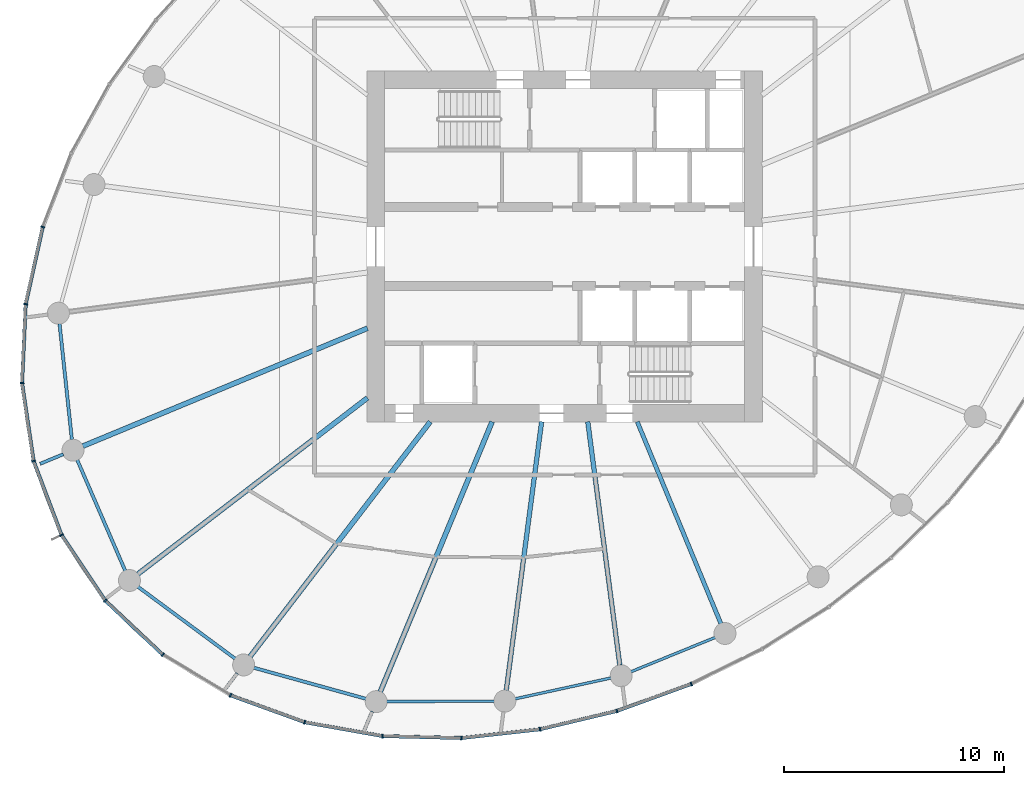
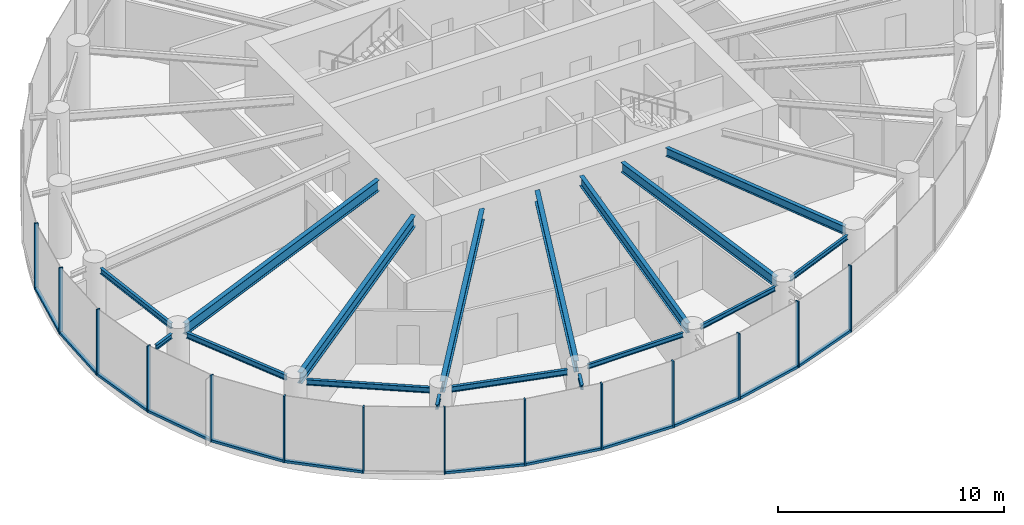
# One storey, part 2 of 14: 26 members, 17 beams, 3 elements without a shape of their own.
"""IFC4 building model written with IfcOpenShell, lengths in metres."""

from ifc_helpers import new_model, si_unit, direction, frame, origin, origin_2d, place, context, subcontext, project, spatial, rectangle, i_section, extrude, source, transform, mapped, material, layer, layer_set, material_profile, profile_set, type_object, element, aggregate, save


model = new_model("IFC4")

# Units and contexts
model_context = context("Model", 3, precision=1e-05, world=origin(), true_north=direction((0.0, 1.0)))
body_context = subcontext(model_context, "Body", "Model", "MODEL_VIEW")
ifc_project = project(units=[si_unit("LENGTHUNIT", "METRE"), si_unit("AREAUNIT", "SQUARE_METRE"), si_unit("VOLUMEUNIT", "CUBIC_METRE"), si_unit("PLANEANGLEUNIT", "RADIAN"), si_unit("MASSUNIT", "GRAM", prefix="KILO")], contexts=[model_context])

# Site, building, storey
site_placement = place(None, origin())
site = spatial("IfcSite", under=ifc_project, at=site_placement, CompositionType="ELEMENT")
building_placement = place(site_placement, origin())
building = spatial("IfcBuilding", under=site, at=building_placement, Name="Spindrift Exchange Tower", CompositionType="ELEMENT")
storey_placement = place(building_placement, frame((0.0, 0.0, 140.89990234375)))
storey = spatial("IfcBuildingStorey", under=building, at=storey_placement, Name="L33", CompositionType="ELEMENT", Elevation=140.89990234375)

# Beams
ifc_material_1 = material(Name="Steel Grade 300", Category="steel")
ifc_material_profile_1 = material_profile(ifc_material_1, i_section(OverallWidth=0.14599609375, OverallDepth=0.251953125, WebThickness=0.006103515625, FlangeThickness=0.008544921875, FilletRadius=0.011962890625, at=origin_2d()), Name="250UB31.4")
ifc_profile_set_1 = profile_set([ifc_material_profile_1], Name="Steel Grade 300")
beam_type_1 = type_object("IfcBeamType", Name="Cantilever Beam 250UB31.4 Steel Grade 300", PredefinedType="BEAM", material=ifc_profile_set_1)
shared_shape_1 = source(origin(), body_context, "Body", "SweptSolid", [
    extrude(i_section(OverallWidth=0.14599609375, OverallDepth=0.251953125, WebThickness=0.006103515625, FlangeThickness=0.008544921875, FilletRadius=0.011962890625, at=origin_2d()), origin(), (0.0, 0.0, 1.0), 1.142578125),
])
beam_1_placement = place(storey_placement, frame((29.159912109375, 38.539306640625, 3.4541015625), z_axis=(-0.923884022926, -0.382672591365, 0.0), x_axis=(0.382672591365, -0.923884022926, 0.0)))
element("IfcBeam", 1, at=beam_1_placement, inside=storey, type_object=beam_type_1, Name="L33 cantilever beam R14T", PredefinedType="BEAM", context=body_context, shape_type="MappedRepresentation", body=[
    mapped(shared_shape_1, transform((0.0, 0.0, 0.0), scale=1.0)),
])
ifc_material_profile_2 = material_profile(ifc_material_1, i_section(OverallWidth=0.14892578125, OverallDepth=0.298095703125, WebThickness=0.005615234375, FlangeThickness=0.008056640625, FilletRadius=0.012939453125, at=origin_2d()), Name="310UB32.0")
ifc_profile_set_2 = profile_set([ifc_material_profile_2], Name="Steel Grade 300")
beam_type_2 = type_object("IfcBeamType", Name="Edge Beam 310UB32.0 Steel Grade 300", PredefinedType="SPANDREL", material=ifc_profile_set_2)
shared_shape_2 = source(origin(), body_context, "Body", "SweptSolid", [
    extrude(i_section(OverallWidth=0.14892578125, OverallDepth=0.298095703125, WebThickness=0.005615234375, FlangeThickness=0.008056640625, FilletRadius=0.012939453125, at=origin_2d()), origin(), (0.0, 0.0, 1.0), 5.31640625),
])
beam_2_placement = place(storey_placement, frame((28.989013671875, 44.486572265625, 3.43115234375), z_axis=(0.10598990948, -0.994367205357, 0.0), x_axis=(0.994367205357, 0.10598990948, 0.0)))
element("IfcBeam", 2, at=beam_2_placement, inside=storey, type_object=beam_type_2, Name="L33 edge beam E13", PredefinedType="SPANDREL", context=body_context, shape_type="MappedRepresentation", body=[
    mapped(shared_shape_2, transform((0.0, 0.0, 0.0), scale=1.0)),
])
shared_shape_3 = source(origin(), body_context, "Body", "SweptSolid", [
    extrude(i_section(OverallWidth=0.14892578125, OverallDepth=0.298095703125, WebThickness=0.005615234375, FlangeThickness=0.008056640625, FilletRadius=0.012939453125, at=origin_2d()), origin(), (0.0, 0.0, 1.0), 5.508544921875),
])
beam_3_placement = place(storey_placement, frame((29.794189453125, 38.282470703125, 3.43115234375), z_axis=(0.397414644433, -0.917639144975, 0.0), x_axis=(0.917639144975, 0.397414644433, 0.0)))
element("IfcBeam", 3, at=beam_3_placement, inside=storey, type_object=beam_type_2, Name="L33 edge beam E14", PredefinedType="SPANDREL", context=body_context, shape_type="MappedRepresentation", body=[
    mapped(shared_shape_3, transform((0.0, 0.0, 0.0), scale=1.0)),
])
shared_shape_4 = source(origin(), body_context, "Body", "SweptSolid", [
    extrude(i_section(OverallWidth=0.14892578125, OverallDepth=0.298095703125, WebThickness=0.005615234375, FlangeThickness=0.008056640625, FilletRadius=0.012939453125, at=origin_2d()), origin(), (0.0, 0.0, 1.0), 5.509033203125),
])
beam_4_placement = place(storey_placement, frame((32.56005859375, 32.501708984375, 3.43115234375), z_axis=(0.803991901791, -0.594640245741, 0.0), x_axis=(0.594640245741, 0.803991901791, 0.0)))
element("IfcBeam", 4, at=beam_4_placement, inside=storey, type_object=beam_type_2, Name="L33 edge beam E15", PredefinedType="SPANDREL", context=body_context, shape_type="MappedRepresentation", body=[
    mapped(shared_shape_4, transform((0.0, 0.0, 0.0), scale=1.0)),
])
shared_shape_5 = source(origin(), body_context, "Body", "SweptSolid", [
    extrude(i_section(OverallWidth=0.14892578125, OverallDepth=0.298095703125, WebThickness=0.005615234375, FlangeThickness=0.008056640625, FilletRadius=0.012939453125, at=origin_2d()), origin(), (0.0, 0.0, 1.0), 5.30517578125),
])
beam_5_placement = place(storey_placement, frame((37.837646484375, 28.8125, 3.43115234375), z_axis=(0.963757513624, -0.26677978734, 0.0), x_axis=(0.26677978734, 0.963757513624, 0.0)))
element("IfcBeam", 5, at=beam_5_placement, inside=storey, type_object=beam_type_2, Name="L33 edge beam E16", PredefinedType="SPANDREL", context=body_context, shape_type="MappedRepresentation", body=[
    mapped(shared_shape_5, transform((0.0, 0.0, 0.0), scale=1.0)),
])
ifc_material_profile_3 = material_profile(ifc_material_1, i_section(OverallWidth=0.1240234375, OverallDepth=0.248046875, WebThickness=0.0048828125, FlangeThickness=0.008056640625, FilletRadius=0.011962890625, at=origin_2d()), Name="250UB25.7")
ifc_profile_set_3 = profile_set([ifc_material_profile_3], Name="Steel Grade 300")
beam_type_3 = type_object("IfcBeamType", Name="Edge Beam 250UB25.7 Steel Grade 300", PredefinedType="SPANDREL", material=ifc_profile_set_3)
shared_shape_6 = source(origin(), body_context, "Body", "SweptSolid", [
    extrude(i_section(OverallWidth=0.1240234375, OverallDepth=0.248046875, WebThickness=0.0048828125, FlangeThickness=0.008056640625, FilletRadius=0.011962890625, at=origin_2d()), origin(), (0.0, 0.0, 1.0), 4.901123046875),
])
beam_6_placement = place(storey_placement, frame((43.89306640625, 27.271240234375, 3.4560546875), z_axis=(0.999990609444, 0.004333707747, 0.0), x_axis=(-0.004333707747, 0.999990609444, 0.0)))
element("IfcBeam", 6, at=beam_6_placement, inside=storey, type_object=beam_type_3, Name="L33 edge beam E17", PredefinedType="SPANDREL", context=body_context, shape_type="MappedRepresentation", body=[
    mapped(shared_shape_6, transform((0.0, 0.0, 0.0), scale=1.0)),
])
shared_shape_7 = source(origin(), body_context, "Body", "SweptSolid", [
    extrude(i_section(OverallWidth=0.1240234375, OverallDepth=0.248046875, WebThickness=0.0048828125, FlangeThickness=0.008056640625, FilletRadius=0.011962890625, at=origin_2d()), origin(), (0.0, 0.0, 1.0), 4.464111328125),
])
beam_7_placement = place(storey_placement, frame((49.7431640625, 27.396728515625, 3.4560546875), z_axis=(0.977095837978, 0.212799726048, 0.0), x_axis=(-0.212799726048, 0.977095837978, 0.0)))
element("IfcBeam", 7, at=beam_7_placement, inside=storey, type_object=beam_type_3, Name="L33 edge beam E18", PredefinedType="SPANDREL", context=body_context, shape_type="MappedRepresentation", body=[
    mapped(shared_shape_7, transform((0.0, 0.0, 0.0), scale=1.0)),
])
shared_shape_8 = source(origin(), body_context, "Body", "SweptSolid", [
    extrude(i_section(OverallWidth=0.1240234375, OverallDepth=0.248046875, WebThickness=0.0048828125, FlangeThickness=0.008056640625, FilletRadius=0.011962890625, at=origin_2d()), origin(), (0.0, 0.0, 1.0), 4.143798828125),
])
beam_8_placement = place(storey_placement, frame((55.0185546875, 28.6298828125, 3.4560546875), z_axis=(0.926113706975, 0.377244485385, 0.0), x_axis=(-0.377244485385, 0.926113706975, 0.0)))
element("IfcBeam", 8, at=beam_8_placement, inside=storey, type_object=beam_type_3, Name="L33 edge beam E19", PredefinedType="SPANDREL", context=body_context, shape_type="MappedRepresentation", body=[
    mapped(shared_shape_8, transform((0.0, 0.0, 0.0), scale=1.0)),
])
ifc_material_profile_4 = material_profile(ifc_material_1, i_section(OverallWidth=0.22802734375, OverallDepth=0.60205078125, WebThickness=0.010498046875, FlangeThickness=0.014892578125, FilletRadius=0.013916015625, at=origin_2d()), Name="610UB101")
ifc_profile_set_4 = profile_set([ifc_material_profile_4], Name="Steel Grade 300")
beam_type_4 = type_object("IfcBeamType", Name="Floor Beam 610UB101 Steel Grade 300", PredefinedType="BEAM", material=ifc_profile_set_4)
shared_shape_9 = source(origin(), body_context, "Body", "SweptSolid", [
    extrude(i_section(OverallWidth=0.22802734375, OverallDepth=0.60205078125, WebThickness=0.010498046875, FlangeThickness=0.014892578125, FilletRadius=0.013916015625, at=origin_2d()), origin(), (0.0, 0.0, 1.0), 14.04052734375),
])
beam_9_placement = place(storey_placement, frame((43.0185546875, 44.27978515625, 3.279052734375), z_axis=(-0.923879501748, -0.382683506634, 0.0), x_axis=(0.382683506634, -0.923879501748, 0.0)))
element("IfcBeam", 9, at=beam_9_placement, inside=storey, type_object=beam_type_4, Name="L33 radial beam R14A", PredefinedType="BEAM", context=body_context, shape_type="MappedRepresentation", body=[
    mapped(shared_shape_9, transform((0.0, 0.0, 0.0), scale=1.0)),
])
shared_shape_10 = source(origin(), body_context, "Body", "SweptSolid", [
    extrude(i_section(OverallWidth=0.22802734375, OverallDepth=0.60205078125, WebThickness=0.010498046875, FlangeThickness=0.014892578125, FilletRadius=0.013916015625, at=origin_2d()), origin(), (0.0, 0.0, 1.0), 13.185546875),
])
beam_10_placement = place(storey_placement, frame((43.015869140625, 41.106201171875, 3.279052734375), z_axis=(-0.793357156703, -0.608756455332, 0.0), x_axis=(0.608756455332, -0.793357156703, 0.0)))
element("IfcBeam", 10, at=beam_10_placement, inside=storey, type_object=beam_type_4, Name="L33 radial beam R15A", PredefinedType="BEAM", context=body_context, shape_type="MappedRepresentation", body=[
    mapped(shared_shape_10, transform((0.0, 0.0, 0.0), scale=1.0)),
])
shared_shape_11 = source(origin(), body_context, "Body", "SweptSolid", [
    extrude(i_section(OverallWidth=0.22802734375, OverallDepth=0.60205078125, WebThickness=0.010498046875, FlangeThickness=0.014892578125, FilletRadius=0.013916015625, at=origin_2d()), origin(), (0.0, 0.0, 1.0), 13.480224609375),
])
beam_11_placement = place(storey_placement, frame((45.87353515625, 40.015869140625, 3.279052734375), z_axis=(-0.608764179541, -0.793351229726, 0.0), x_axis=(0.793351229726, -0.608764179541, 0.0)))
element("IfcBeam", 11, at=beam_11_placement, inside=storey, type_object=beam_type_4, Name="L33 radial beam R16A", PredefinedType="BEAM", context=body_context, shape_type="MappedRepresentation", body=[
    mapped(shared_shape_11, transform((0.0, 0.0, 0.0), scale=1.0)),
])
shared_shape_12 = source(origin(), body_context, "Body", "SweptSolid", [
    extrude(i_section(OverallWidth=0.14599609375, OverallDepth=0.251953125, WebThickness=0.006103515625, FlangeThickness=0.008544921875, FilletRadius=0.011962890625, at=origin_2d()), origin(), (0.0, 0.0, 1.0), 0.86865234375),
])
beam_12_placement = place(storey_placement, frame((37.0830078125, 28.559814453125, 3.4541015625), z_axis=(-0.608732403374, -0.7933756116, 0.0), x_axis=(0.7933756116, -0.608732403374, 0.0)))
element("IfcBeam", 12, at=beam_12_placement, inside=storey, type_object=beam_type_1, Name="L33 cantilever beam R16T", PredefinedType="BEAM", context=body_context, shape_type="MappedRepresentation", body=[
    mapped(shared_shape_12, transform((0.0, 0.0, 0.0), scale=1.0)),
])
shared_shape_13 = source(origin(), body_context, "Body", "SweptSolid", [
    extrude(i_section(OverallWidth=0.22802734375, OverallDepth=0.60205078125, WebThickness=0.010498046875, FlangeThickness=0.014892578125, FilletRadius=0.013916015625, at=origin_2d()), origin(), (0.0, 0.0, 1.0), 13.31982421875),
])
beam_13_placement = place(storey_placement, frame((48.69384765625, 40.0185546875, 3.279052734375), z_axis=(-0.382676632888, -0.923882348918, 0.0), x_axis=(0.923882348918, -0.382676632888, 0.0)))
element("IfcBeam", 13, at=beam_13_placement, inside=storey, type_object=beam_type_4, Name="L33 radial beam R17A", PredefinedType="BEAM", context=body_context, shape_type="MappedRepresentation", body=[
    mapped(shared_shape_13, transform((0.0, 0.0, 0.0), scale=1.0)),
])
shared_shape_14 = source(origin(), body_context, "Body", "SweptSolid", [
    extrude(i_section(OverallWidth=0.14599609375, OverallDepth=0.251953125, WebThickness=0.006103515625, FlangeThickness=0.008544921875, FilletRadius=0.011962890625, at=origin_2d()), origin(), (0.0, 0.0, 1.0), 0.925048828125),
])
beam_14_placement = place(storey_placement, frame((43.229248046875, 26.82568359375, 3.4541015625), z_axis=(-0.382647013544, -0.92389461684, 0.0), x_axis=(0.92389461684, -0.382647013544, 0.0)))
element("IfcBeam", 14, at=beam_14_placement, inside=storey, type_object=beam_type_1, Name="L33 cantilever beam R17T", PredefinedType="BEAM", context=body_context, shape_type="MappedRepresentation", body=[
    mapped(shared_shape_14, transform((0.0, 0.0, 0.0), scale=1.0)),
])
ifc_material_profile_5 = material_profile(ifc_material_1, i_section(OverallWidth=0.208984375, OverallDepth=0.528076171875, WebThickness=0.009521484375, FlangeThickness=0.01318359375, FilletRadius=0.013916015625, at=origin_2d()), Name="530UB82.0")
ifc_profile_set_5 = profile_set([ifc_material_profile_5], Name="Steel Grade 300")
beam_type_5 = type_object("IfcBeamType", Name="Floor Beam 530UB82.0 Steel Grade 300", PredefinedType="BEAM", material=ifc_profile_set_5)
shared_shape_15 = source(origin(), body_context, "Body", "SweptSolid", [
    extrude(i_section(OverallWidth=0.208984375, OverallDepth=0.528076171875, WebThickness=0.009521484375, FlangeThickness=0.01318359375, FilletRadius=0.013916015625, at=origin_2d()), origin(), (0.0, 0.0, 1.0), 12.35498046875),
])
beam_15_placement = place(storey_placement, frame((50.949462890625, 40.019775390625, 3.316162109375), z_axis=(-0.130537831721, -0.991443328935, 0.0), x_axis=(0.991443328935, -0.130537831721, 0.0)))
element("IfcBeam", 15, at=beam_15_placement, inside=storey, type_object=beam_type_5, Name="L33 radial beam R18A", PredefinedType="BEAM", context=body_context, shape_type="MappedRepresentation", body=[
    mapped(shared_shape_15, transform((0.0, 0.0, 0.0), scale=1.0)),
])
shared_shape_16 = source(origin(), body_context, "Body", "SweptSolid", [
    extrude(i_section(OverallWidth=0.208984375, OverallDepth=0.528076171875, WebThickness=0.009521484375, FlangeThickness=0.01318359375, FilletRadius=0.013916015625, at=origin_2d()), origin(), (0.0, 0.0, 1.0), 11.19091796875),
])
beam_16_placement = place(storey_placement, frame((53.050537109375, 40.019775390625, 3.316162109375), z_axis=(0.130524489434, -0.991445085548, 0.0), x_axis=(0.991445085548, 0.130524489434, 0.0)))
element("IfcBeam", 16, at=beam_16_placement, inside=storey, type_object=beam_type_5, Name="L33 radial beam R19A", PredefinedType="BEAM", context=body_context, shape_type="MappedRepresentation", body=[
    mapped(shared_shape_16, transform((0.0, 0.0, 0.0), scale=1.0)),
])
ifc_material_profile_6 = material_profile(ifc_material_1, i_section(OverallWidth=0.18994140625, OverallDepth=0.4541015625, WebThickness=0.008544921875, FlangeThickness=0.0126953125, FilletRadius=0.013916015625, at=origin_2d()), Name="460UB67.1")
ifc_profile_set_6 = profile_set([ifc_material_profile_6], Name="Steel Grade 300")
beam_type_6 = type_object("IfcBeamType", Name="Floor Beam 460UB67.1 Steel Grade 300", PredefinedType="BEAM", material=ifc_profile_set_6)
shared_shape_17 = source(origin(), body_context, "Body", "SweptSolid", [
    extrude(i_section(OverallWidth=0.18994140625, OverallDepth=0.4541015625, WebThickness=0.008544921875, FlangeThickness=0.0126953125, FilletRadius=0.013916015625, at=origin_2d()), origin(), (0.0, 0.0, 1.0), 9.958984375),
])
beam_17_placement = place(storey_placement, frame((55.30615234375, 40.0185546875, 3.35302734375), z_axis=(0.382673670509, -0.923883575944, 0.0), x_axis=(0.923883575944, 0.382673670509, 0.0)))
element("IfcBeam", 17, at=beam_17_placement, inside=storey, type_object=beam_type_6, Name="L33 radial beam R20A", PredefinedType="BEAM", context=body_context, shape_type="MappedRepresentation", body=[
    mapped(shared_shape_17, transform((0.0, 0.0, 0.0), scale=1.0)),
])

# Curtain wall, members
ifc_material_2 = material(Name="Fritted laminated glass with bronze frame", Category="glass")
ifc_layer = layer(ifc_material_2, 0.179931640625)
ifc_layer_set = layer_set([ifc_layer], Name="ZONE 3 BRONZE FRITTED WALL")
curtain_wall_type = type_object("IfcCurtainWallType", Name="ZONE 3 BRONZE FRITTED WALL", PredefinedType="NOTDEFINED", material=ifc_layer_set)
curtain_wall_1_placement = place(storey_placement, origin())
curtain_wall_1 = element("IfcCurtainWall", 18, at=curtain_wall_1_placement, inside=storey, type_object=curtain_wall_type, Name="L33 Zone 3 Bronze Fritted Wall run 5", PredefinedType="NOTDEFINED")
ifc_material_3 = material(Name="Bronze anodised aluminium", Category="aluminium")
ifc_material_profile_7 = material_profile(ifc_material_3, rectangle(XDim=0.159912109375, YDim=0.1298828125, at=origin_2d()), Name="ZONE 3 BRONZE FRITTED WALL TRANSOM 160X130")
ifc_profile_set_7 = profile_set([ifc_material_profile_7], Name="Bronze anodised aluminium")
member_type_1 = type_object("IfcMemberType", Name="ZONE 3 BRONZE FRITTED WALL TRANSOM 160X130", PredefinedType="USERDEFINED", material=ifc_profile_set_7)
shared_shape_18 = source(origin(), body_context, "Body", "SweptSolid", [
    extrude(rectangle(XDim=0.159912109375, YDim=0.1298828125, at=origin_2d()), origin(), (0.0, 0.0, 1.0), 3.53076171875),
])
member_1_placement = place(storey_placement, frame((54.413818359375, 26.85546875, 0.065185546875), z_axis=(0.939999182952, 0.341176693297, 0.0), x_axis=(-0.341176693297, 0.939999182952, 0.0)))
member_1 = element("IfcMember", 19, at=member_1_placement, type_object=member_type_1, Name="L33 transom CW-3.29", ObjectType="TRANSOM", PredefinedType="USERDEFINED", context=body_context, shape_type="MappedRepresentation", body=[
    mapped(shared_shape_18, transform((0.0, 0.0, 0.0), scale=1.0)),
])
shared_shape_19 = source(origin(), body_context, "Body", "SweptSolid", [
    extrude(rectangle(XDim=0.159912109375, YDim=0.1298828125, at=origin_2d()), origin(), (0.0, 0.0, 1.0), 3.5302734375),
])
member_2_placement = place(storey_placement, frame((50.912353515625, 26.017578125, 0.065185546875), z_axis=(0.972795083561, 0.231667273045, 0.0), x_axis=(-0.231667273045, 0.972795083561, 0.0)))
member_2 = element("IfcMember", 20, at=member_2_placement, type_object=member_type_1, Name="L33 transom CW-3.28", ObjectType="TRANSOM", PredefinedType="USERDEFINED", context=body_context, shape_type="MappedRepresentation", body=[
    mapped(shared_shape_19, transform((0.0, 0.0, 0.0), scale=1.0)),
])
shared_shape_20 = source(origin(), body_context, "Body", "SweptSolid", [
    extrude(rectangle(XDim=0.159912109375, YDim=0.1298828125, at=origin_2d()), origin(), (0.0, 0.0, 1.0), 3.529296875),
])
member_3_placement = place(storey_placement, frame((43.73681640625, 25.699462890625, 0.065185546875), z_axis=(0.999696739042, -0.024625798443, 0.0), x_axis=(0.024625798443, 0.999696739042, 0.0)))
member_3 = element("IfcMember", 21, at=member_3_placement, type_object=member_type_1, Name="L33 transom CW-3.26", ObjectType="TRANSOM", PredefinedType="USERDEFINED", context=body_context, shape_type="MappedRepresentation", body=[
    mapped(shared_shape_20, transform((0.0, 0.0, 0.0), scale=1.0)),
])

# Curtain wall, member
curtain_wall_2_placement = place(storey_placement, origin())
curtain_wall_2 = element("IfcCurtainWall", 22, at=curtain_wall_2_placement, inside=storey, type_object=curtain_wall_type, Name="L33 Zone 3 Bronze Fritted Wall run 3", PredefinedType="NOTDEFINED")
shared_shape_21 = source(origin(), body_context, "Body", "SweptSolid", [
    extrude(rectangle(XDim=0.159912109375, YDim=0.1298828125, at=origin_2d()), origin(), (0.0, 0.0, 1.0), 3.52880859375),
])
member_4_placement = place(storey_placement, frame((28.215576171875, 48.8544921875, 0.065185546875), z_axis=(-0.215860791118, -0.976424149055, 0.0), x_axis=(0.976424149055, -0.215860791118, 0.0)))
member_4 = element("IfcMember", 23, at=member_4_placement, type_object=member_type_1, Name="L33 transom CW-3.17", ObjectType="TRANSOM", PredefinedType="USERDEFINED", context=body_context, shape_type="MappedRepresentation", body=[
    mapped(shared_shape_21, transform((0.0, 0.0, 0.0), scale=1.0)),
])

# Curtain wall, members
curtain_wall_3_placement = place(storey_placement, origin())
curtain_wall_3 = element("IfcCurtainWall", 24, at=curtain_wall_3_placement, inside=storey, type_object=curtain_wall_type, Name="L33 Zone 3 Bronze Fritted Wall run 4", PredefinedType="NOTDEFINED")
shared_shape_22 = source(origin(), body_context, "Body", "SweptSolid", [
    extrude(rectangle(XDim=0.159912109375, YDim=0.1298828125, at=origin_2d()), origin(), (0.0, 0.0, 1.0), 3.5263671875),
])
member_5_placement = place(storey_placement, frame((27.28515625, 41.746337890625, 0.065185546875), z_axis=(0.146847247394, -0.989159181291, 0.0), x_axis=(0.989159181291, 0.146847247394, 0.0)))
member_5 = element("IfcMember", 25, at=member_5_placement, type_object=member_type_1, Name="L33 transom CW-3.19", ObjectType="TRANSOM", PredefinedType="USERDEFINED", context=body_context, shape_type="MappedRepresentation", body=[
    mapped(shared_shape_22, transform((0.0, 0.0, 0.0), scale=1.0)),
])
shared_shape_23 = source(origin(), body_context, "Body", "SweptSolid", [
    extrude(rectangle(XDim=0.159912109375, YDim=0.1298828125, at=origin_2d()), origin(), (0.0, 0.0, 1.0), 3.525146484375),
])
member_6_placement = place(storey_placement, frame((27.8203125, 38.19091796875, 0.065185546875), z_axis=(0.353687420375, -0.935363677223, 0.0), x_axis=(0.935363677223, 0.353687420375, 0.0)))
member_6 = element("IfcMember", 26, at=member_6_placement, type_object=member_type_1, Name="L33 transom CW-3.20", ObjectType="TRANSOM", PredefinedType="USERDEFINED", context=body_context, shape_type="MappedRepresentation", body=[
    mapped(shared_shape_23, transform((0.0, 0.0, 0.0), scale=1.0)),
])
member_7_placement = place(storey_placement, frame((31.100830078125, 31.84716796875, 0.065185546875), z_axis=(0.728183726274, -0.685381981664, 0.0), x_axis=(0.685381981664, 0.728183726274, 0.0)))
member_7 = element("IfcMember", 27, at=member_7_placement, type_object=member_type_1, Name="L33 transom CW-3.22", ObjectType="TRANSOM", PredefinedType="USERDEFINED", context=body_context, shape_type="MappedRepresentation", body=[
    mapped(shared_shape_23, transform((0.0, 0.0, 0.0), scale=1.0)),
])

# Member
ifc_material_profile_8 = material_profile(ifc_material_3, rectangle(XDim=0.070068359375, YDim=0.179931640625, at=origin_2d()), Name="ZONE 3 BRONZE FRITTED WALL MULLION 70X180")
ifc_profile_set_8 = profile_set([ifc_material_profile_8], Name="Bronze anodised aluminium")
member_type_2 = type_object("IfcMemberType", Name="ZONE 3 BRONZE FRITTED WALL MULLION 70X180", PredefinedType="MULLION", material=ifc_profile_set_8)
shared_shape_24 = source(origin(), body_context, "Body", "SweptSolid", [
    extrude(rectangle(XDim=0.070068359375, YDim=0.179931640625, at=origin_2d()), origin(), (0.0, 0.0, 1.0), 3.580078125),
])
member_8_placement = place(storey_placement, frame((28.22314453125, 48.888671875, 0.0), z_axis=(0.0, 0.0, 1.0), x_axis=(-0.289074413997, -0.95730662965, 0.0)))
member_8 = element("IfcMember", 28, at=member_8_placement, type_object=member_type_2, Name="L33 mullion CW-3.17", PredefinedType="MULLION", context=body_context, shape_type="MappedRepresentation", body=[
    mapped(shared_shape_24, transform((0.0, 0.0, 0.0), scale=1.0)),
])

member_9_placement = place(storey_placement, frame((27.4462890625, 45.374755859375, 0.0), z_axis=(0.0, 0.0, 1.0), x_axis=(-0.131508523789, -0.991315039819, 0.0)))
member_9 = element("IfcMember", 29, at=member_9_placement, type_object=member_type_2, Name="L33 mullion CW-3.18", PredefinedType="MULLION", context=body_context, shape_type="MappedRepresentation", body=[
    mapped(shared_shape_24, transform((0.0, 0.0, 0.0), scale=1.0)),
])

member_10_placement = place(storey_placement, frame((27.280029296875, 41.781005859375, 0.0), z_axis=(0.0, 0.0, 1.0), x_axis=(0.050519205664, -0.99872308968, 0.0)))
member_10 = element("IfcMember", 30, at=member_10_placement, type_object=member_type_2, Name="L33 mullion CW-3.19", PredefinedType="MULLION", context=body_context, shape_type="MappedRepresentation", body=[
    mapped(shared_shape_24, transform((0.0, 0.0, 0.0), scale=1.0)),
])

member_11_placement = place(storey_placement, frame((27.80810546875, 38.2236328125, 0.0), z_axis=(0.0, 0.0, 1.0), x_axis=(0.251685179241, -0.967809160191, 0.0)))
member_11 = element("IfcMember", 31, at=member_11_placement, type_object=member_type_2, Name="L33 mullion CW-3.20", PredefinedType="MULLION", context=body_context, shape_type="MappedRepresentation", body=[
    mapped(shared_shape_24, transform((0.0, 0.0, 0.0), scale=1.0)),
])

member_12_placement = place(storey_placement, frame((29.07958984375, 34.86083984375, 0.0), z_axis=(0.0, 0.0, 1.0), x_axis=(0.457389592301, -0.889266417253, 0.0)))
member_12 = element("IfcMember", 32, at=member_12_placement, type_object=member_type_2, Name="L33 mullion CW-3.21", PredefinedType="MULLION", context=body_context, shape_type="MappedRepresentation", body=[
    mapped(shared_shape_24, transform((0.0, 0.0, 0.0), scale=1.0)),
])

member_13_placement = place(storey_placement, frame((31.0751953125, 31.87109375, 0.0), z_axis=(0.0, 0.0, 1.0), x_axis=(0.645848993892, -0.763465177391, 0.0)))
member_13 = element("IfcMember", 33, at=member_13_placement, type_object=member_type_2, Name="L33 mullion CW-3.22", PredefinedType="MULLION", context=body_context, shape_type="MappedRepresentation", body=[
    mapped(shared_shape_24, transform((0.0, 0.0, 0.0), scale=1.0)),
])

member_14_placement = place(storey_placement, frame((33.693115234375, 29.4072265625, 0.0), z_axis=(0.0, 0.0, 1.0), x_axis=(0.797282272582, -0.603606641635, 0.0)))
member_14 = element("IfcMember", 34, at=member_14_placement, type_object=member_type_2, Name="L33 mullion CW-3.23", PredefinedType="MULLION", context=body_context, shape_type="MappedRepresentation", body=[
    mapped(shared_shape_24, transform((0.0, 0.0, 0.0), scale=1.0)),
])

member_15_placement = place(storey_placement, frame((36.776123046875, 27.555419921875, 0.0), z_axis=(0.0, 0.0, 1.0), x_axis=(0.90298091896, -0.429680648848, 0.0)))
member_15 = element("IfcMember", 35, at=member_15_placement, type_object=member_type_2, Name="L33 mullion CW-3.24", PredefinedType="MULLION", context=body_context, shape_type="MappedRepresentation", body=[
    mapped(shared_shape_24, transform((0.0, 0.0, 0.0), scale=1.0)),
])

member_16_placement = place(storey_placement, frame((40.15869140625, 26.330810546875, 0.0), z_axis=(0.0, 0.0, 1.0), x_axis=(0.965948224161, -0.258735440635, 0.0)))
member_16 = element("IfcMember", 36, at=member_16_placement, type_object=member_type_2, Name="L33 mullion CW-3.25", PredefinedType="MULLION", context=body_context, shape_type="MappedRepresentation", body=[
    mapped(shared_shape_24, transform((0.0, 0.0, 0.0), scale=1.0)),
])

member_17_placement = place(storey_placement, frame((43.701904296875, 25.700439453125, 0.0), z_axis=(0.0, 0.0, 1.0), x_axis=(0.994970401651, -0.100169355781, 0.0)))
member_17 = element("IfcMember", 37, at=member_17_placement, type_object=member_type_2, Name="L33 mullion CW-3.26", PredefinedType="MULLION", context=body_context, shape_type="MappedRepresentation", body=[
    mapped(shared_shape_24, transform((0.0, 0.0, 0.0), scale=1.0)),
])

member_18_placement = place(storey_placement, frame((47.30029296875, 25.61181640625, 0.0), z_axis=(0.0, 0.0, 1.0), x_axis=(0.999073987788, 0.043025189424, 0.0)))
member_18 = element("IfcMember", 38, at=member_18_placement, type_object=member_type_2, Name="L33 mullion CW-3.27", PredefinedType="MULLION", context=body_context, shape_type="MappedRepresentation", body=[
    mapped(shared_shape_24, transform((0.0, 0.0, 0.0), scale=1.0)),
])

member_19_placement = place(storey_placement, frame((50.87841796875, 26.009521484375, 0.0), z_axis=(0.0, 0.0, 1.0), x_axis=(0.985205338981, 0.171378061732, 0.0)))
member_19 = element("IfcMember", 39, at=member_19_placement, type_object=member_type_2, Name="L33 mullion CW-3.28", PredefinedType="MULLION", context=body_context, shape_type="MappedRepresentation", body=[
    mapped(shared_shape_24, transform((0.0, 0.0, 0.0), scale=1.0)),
])

member_20_placement = place(storey_placement, frame((54.380859375, 26.843505859375, 0.0), z_axis=(0.0, 0.0, 1.0), x_axis=(0.95797077309, 0.286865818642, 0.0)))
member_20 = element("IfcMember", 40, at=member_20_placement, type_object=member_type_2, Name="L33 mullion CW-3.29", PredefinedType="MULLION", context=body_context, shape_type="MappedRepresentation", body=[
    mapped(shared_shape_24, transform((0.0, 0.0, 0.0), scale=1.0)),
])

member_21_placement = place(storey_placement, frame((57.765380859375, 28.072021484375, 0.0), z_axis=(0.0, 0.0, 1.0), x_axis=(0.920097033888, 0.391690500562, 0.0)))
member_21 = element("IfcMember", 41, at=member_21_placement, type_object=member_type_2, Name="L33 mullion CW-3.30", PredefinedType="MULLION", context=body_context, shape_type="MappedRepresentation", body=[
    mapped(shared_shape_24, transform((0.0, 0.0, 0.0), scale=1.0)),
])

shared_shape_25 = source(origin(), body_context, "Body", "SweptSolid", [
    extrude(rectangle(XDim=0.159912109375, YDim=0.1298828125, at=origin_2d()), origin(), (0.0, 0.0, 1.0), 3.530029296875),
])
member_22_placement = place(storey_placement, frame((47.3349609375, 25.61572265625, 0.065185546875), z_axis=(0.993882047756, 0.110446707276, 0.0), x_axis=(-0.110446707276, 0.993882047756, 0.0)))
member_22 = element("IfcMember", 42, at=member_22_placement, type_object=member_type_1, Name="L33 transom CW-3.27", ObjectType="TRANSOM", PredefinedType="USERDEFINED", context=body_context, shape_type="MappedRepresentation", body=[
    mapped(shared_shape_25, transform((0.0, 0.0, 0.0), scale=1.0)),
])

shared_shape_26 = source(origin(), body_context, "Body", "SweptSolid", [
    extrude(rectangle(XDim=0.159912109375, YDim=0.1298828125, at=origin_2d()), origin(), (0.0, 0.0, 1.0), 3.527587890625),
])
member_23_placement = place(storey_placement, frame((27.44482421875, 45.33984375, 0.065185546875), z_axis=(-0.046230136128, -0.998930815679, 0.0), x_axis=(0.998930815679, -0.046230136128, 0.0)))
member_23 = element("IfcMember", 43, at=member_23_placement, type_object=member_type_1, Name="L33 transom CW-3.18", ObjectType="TRANSOM", PredefinedType="USERDEFINED", context=body_context, shape_type="MappedRepresentation", body=[
    mapped(shared_shape_26, transform((0.0, 0.0, 0.0), scale=1.0)),
])

aggregate(curtain_wall_2, [member_8, member_4, member_9, member_23])

member_24_placement = place(storey_placement, frame((36.80908203125, 27.54345703125, 0.065185546875), z_axis=(0.94026737781, -0.34043686379, 0.0), x_axis=(0.34043686379, 0.94026737781, 0.0)))
member_24 = element("IfcMember", 44, at=member_24_placement, type_object=member_type_1, Name="L33 transom CW-3.24", ObjectType="TRANSOM", PredefinedType="USERDEFINED", context=body_context, shape_type="MappedRepresentation", body=[
    mapped(shared_shape_26, transform((0.0, 0.0, 0.0), scale=1.0)),
])

shared_shape_27 = source(origin(), body_context, "Body", "SweptSolid", [
    extrude(rectangle(XDim=0.159912109375, YDim=0.1298828125, at=origin_2d()), origin(), (0.0, 0.0, 1.0), 3.5244140625),
])
member_25_placement = place(storey_placement, frame((29.09912109375, 34.831787109375, 0.065185546875), z_axis=(0.555195641729, -0.831719784185, 0.0), x_axis=(0.831719784185, 0.555195641729, 0.0)))
member_25 = element("IfcMember", 45, at=member_25_placement, type_object=member_type_1, Name="L33 transom CW-3.21", ObjectType="TRANSOM", PredefinedType="USERDEFINED", context=body_context, shape_type="MappedRepresentation", body=[
    mapped(shared_shape_27, transform((0.0, 0.0, 0.0), scale=1.0)),
])

aggregate(curtain_wall_3, [member_10, member_5, member_11, member_6, member_12, member_25, member_13, member_7, member_14, member_15, member_24])

shared_shape_28 = source(origin(), body_context, "Body", "SweptSolid", [
    extrude(rectangle(XDim=0.159912109375, YDim=0.1298828125, at=origin_2d()), origin(), (0.0, 0.0, 1.0), 3.5283203125),
])
member_26_placement = place(storey_placement, frame((40.193359375, 26.324462890625, 0.065185546875), z_axis=(0.984545809568, -0.175127236209, 0.0), x_axis=(0.175127236209, 0.984545809568, 0.0)))
member_26 = element("IfcMember", 46, at=member_26_placement, type_object=member_type_1, Name="L33 transom CW-3.25", ObjectType="TRANSOM", PredefinedType="USERDEFINED", context=body_context, shape_type="MappedRepresentation", body=[
    mapped(shared_shape_28, transform((0.0, 0.0, 0.0), scale=1.0)),
])

aggregate(curtain_wall_1, [member_16, member_26, member_17, member_3, member_18, member_22, member_19, member_2, member_20, member_1, member_21])

save(model, "model.ifc")
